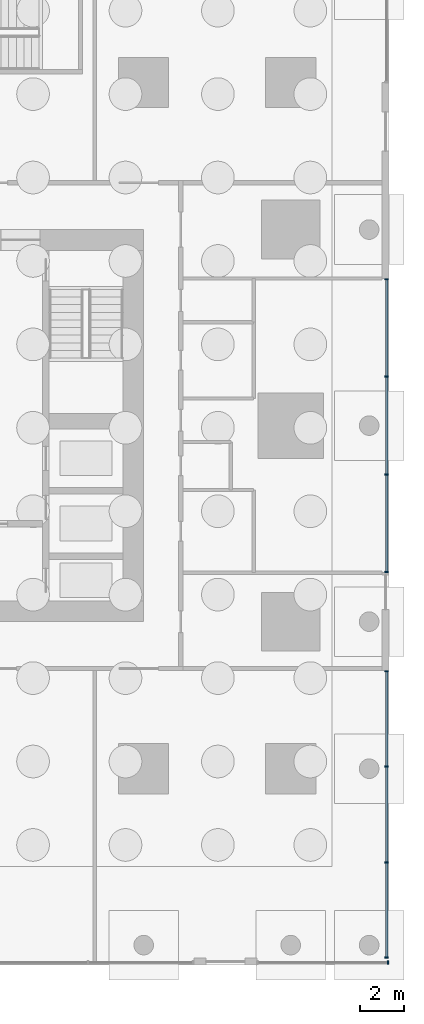
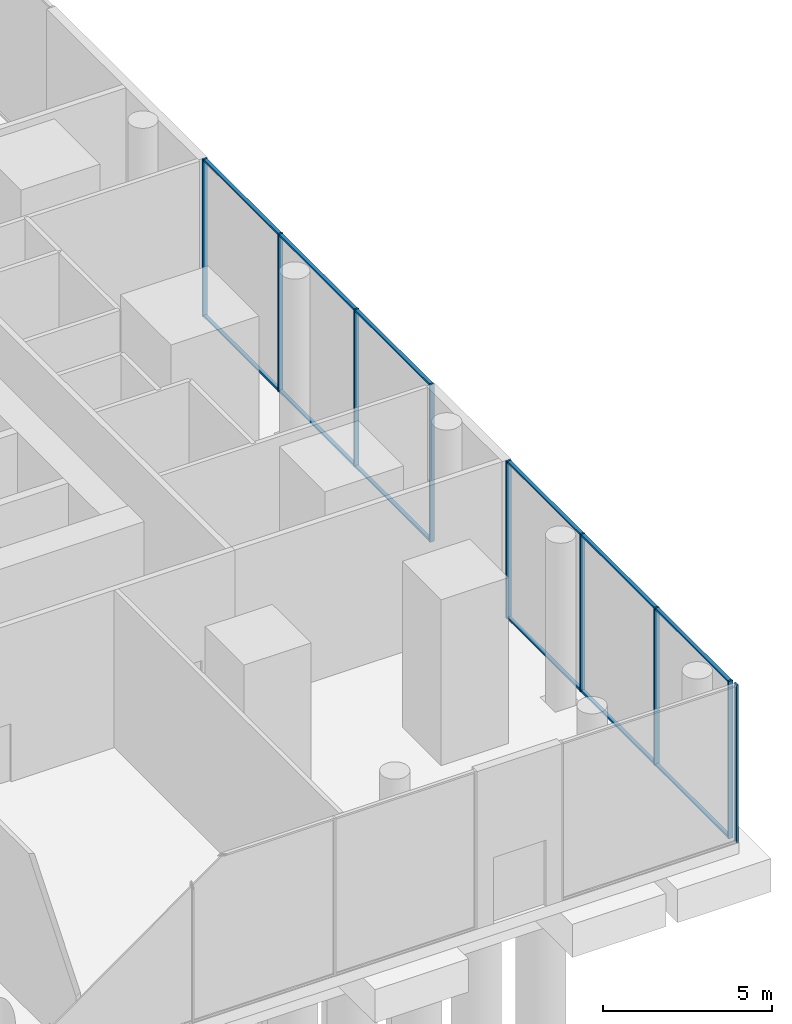
# One storey, part 12 of 31: 21 members, 3 elements without a shape of their own.
"""IFC4 building model written with IfcOpenShell, lengths in metres."""

from ifc_helpers import new_model, si_unit, direction, frame, origin, origin_2d, place, context, subcontext, project, spatial, rectangle, extrude, material, layer, layer_set, material_profile, profile_set, type_object, element, aggregate, save


model = new_model("IFC4")

# Units and contexts
model_context = context("Model", 3, precision=1e-05, world=origin(), true_north=direction((0.0, 1.0)))
body_context = subcontext(model_context, "Body", "Model", "MODEL_VIEW")
ifc_project = project(units=[si_unit("LENGTHUNIT", "METRE"), si_unit("AREAUNIT", "SQUARE_METRE"), si_unit("VOLUMEUNIT", "CUBIC_METRE"), si_unit("PLANEANGLEUNIT", "RADIAN"), si_unit("MASSUNIT", "GRAM", prefix="KILO")], contexts=[model_context])

# Site, building, storey
site_placement = place(None, origin())
site = spatial("IfcSite", under=ifc_project, at=site_placement, CompositionType="ELEMENT")
building_placement = place(site_placement, origin())
building = spatial("IfcBuilding", under=site, at=building_placement, Name="Namib Vertical Campus", CompositionType="ELEMENT")
storey_placement = place(building_placement, origin())
storey = spatial("IfcBuildingStorey", under=building, at=storey_placement, Name="L00", CompositionType="ELEMENT", Elevation=0.0)

# Curtain wall, member
ifc_material_1 = material(Name="Black aluminium curtain wall", Category="aluminium")
ifc_layer = layer(ifc_material_1, 0.199951171875)
ifc_layer_set = layer_set([ifc_layer], Name="Entrance curtain wall CW-EN")
curtain_wall_type = type_object("IfcCurtainWallType", Name="Entrance curtain wall CW-EN", PredefinedType="USERDEFINED", material=ifc_layer_set)
curtain_wall_1_placement = place(storey_placement, origin())
curtain_wall_1 = element("IfcCurtainWall", 1, at=curtain_wall_1_placement, inside=storey, type_object=curtain_wall_type, Name="Curtain wall CW-EN L00 13-1", ObjectType="CURTAIN WALL", PredefinedType="USERDEFINED")
ifc_material_2 = material(Name="Black anodised aluminium", Category="aluminium")
ifc_material_profile_1 = material_profile(ifc_material_2, rectangle(XDim=0.06005859375, YDim=0.159912109375, at=origin_2d()))
ifc_profile_set_1 = profile_set([ifc_material_profile_1], Name="Black anodised aluminium")
member_type_1 = type_object("IfcMemberType", Name="Curtain wall mullion 60x160", PredefinedType="MULLION", material=ifc_profile_set_1)
member_1_placement = place(storey_placement, frame((98.969970703125, -4.39990234375, 0.0), z_axis=(0.0, 0.0, 1.0), x_axis=(1.0, 0.0, 0.0)))
member_1 = element("IfcMember", 2, at=member_1_placement, type_object=member_type_1, Name="CW-EN mullion 2", PredefinedType="MULLION", context=body_context, shape_type="SweptSolid", body=[
    extrude(rectangle(XDim=0.06005859375, YDim=0.159912109375, at=origin_2d()), origin(), (0.0, 0.0, 1.0), 5.699951171875),
])
aggregate(curtain_wall_1, [member_1])

# Curtain wall, members
curtain_wall_2_placement = place(storey_placement, origin())
curtain_wall_2 = element("IfcCurtainWall", 3, at=curtain_wall_2_placement, inside=storey, type_object=curtain_wall_type, Name="Curtain wall CW-EN L00 1-1", ObjectType="CURTAIN WALL", PredefinedType="USERDEFINED")
member_2_placement = place(storey_placement, frame((98.89990234375, -4.169921875, 0.0), z_axis=(0.0, 0.0, 1.0), x_axis=(0.0, 1.0, 0.0)))
member_2 = element("IfcMember", 4, at=member_2_placement, type_object=member_type_1, Name="CW-EN mullion 1", PredefinedType="MULLION", context=body_context, shape_type="SweptSolid", body=[
    extrude(rectangle(XDim=0.06005859375, YDim=0.159912109375, at=origin_2d()), origin(), (0.0, 0.0, 1.0), 5.699951171875),
])
member_3_placement = place(storey_placement, frame((98.89990234375, 0.199951171875, 0.0), z_axis=(0.0, 0.0, 1.0), x_axis=(0.0, 1.0, 0.0)))
member_3 = element("IfcMember", 5, at=member_3_placement, type_object=member_type_1, Name="CW-EN mullion 2", PredefinedType="MULLION", context=body_context, shape_type="SweptSolid", body=[
    extrude(rectangle(XDim=0.06005859375, YDim=0.159912109375, at=origin_2d()), origin(), (0.0, 0.0, 1.0), 5.699951171875),
])
member_4_placement = place(storey_placement, frame((98.89990234375, 4.60009765625, 0.0), z_axis=(0.0, 0.0, 1.0), x_axis=(0.0, 1.0, 0.0)))
member_4 = element("IfcMember", 6, at=member_4_placement, type_object=member_type_1, Name="CW-EN mullion 3", PredefinedType="MULLION", context=body_context, shape_type="SweptSolid", body=[
    extrude(rectangle(XDim=0.06005859375, YDim=0.159912109375, at=origin_2d()), origin(), (0.0, 0.0, 1.0), 5.699951171875),
])
member_5_placement = place(storey_placement, frame((98.89990234375, 8.969970703125, 0.0), z_axis=(0.0, 0.0, 1.0), x_axis=(0.0, 1.0, 0.0)))
member_5 = element("IfcMember", 7, at=member_5_placement, type_object=member_type_1, Name="CW-EN mullion 4", PredefinedType="MULLION", context=body_context, shape_type="SweptSolid", body=[
    extrude(rectangle(XDim=0.06005859375, YDim=0.159912109375, at=origin_2d()), origin(), (0.0, 0.0, 1.0), 5.699951171875),
])

curtain_wall_3_placement = place(storey_placement, origin())
curtain_wall_3 = element("IfcCurtainWall", 8, at=curtain_wall_3_placement, inside=storey, type_object=curtain_wall_type, Name="Curtain wall CW-EN L00 3-1", ObjectType="CURTAIN WALL", PredefinedType="USERDEFINED")
member_6_placement = place(storey_placement, frame((98.89990234375, 13.530029296875, 0.0), z_axis=(0.0, 0.0, 1.0), x_axis=(0.0, 1.0, 0.0)))
member_6 = element("IfcMember", 9, at=member_6_placement, type_object=member_type_1, Name="CW-EN mullion 1", PredefinedType="MULLION", context=body_context, shape_type="SweptSolid", body=[
    extrude(rectangle(XDim=0.06005859375, YDim=0.159912109375, at=origin_2d()), origin(), (0.0, 0.0, 1.0), 5.699951171875),
])
member_7_placement = place(storey_placement, frame((98.89990234375, 18.0, 0.0), z_axis=(0.0, 0.0, 1.0), x_axis=(0.0, 1.0, 0.0)))
member_7 = element("IfcMember", 10, at=member_7_placement, type_object=member_type_1, Name="CW-EN mullion 2", PredefinedType="MULLION", context=body_context, shape_type="SweptSolid", body=[
    extrude(rectangle(XDim=0.06005859375, YDim=0.159912109375, at=origin_2d()), origin(), (0.0, 0.0, 1.0), 5.699951171875),
])
member_8_placement = place(storey_placement, frame((98.89990234375, 22.5, 0.0), z_axis=(0.0, 0.0, 1.0), x_axis=(0.0, 1.0, 0.0)))
member_8 = element("IfcMember", 11, at=member_8_placement, type_object=member_type_1, Name="CW-EN mullion 3", PredefinedType="MULLION", context=body_context, shape_type="SweptSolid", body=[
    extrude(rectangle(XDim=0.06005859375, YDim=0.159912109375, at=origin_2d()), origin(), (0.0, 0.0, 1.0), 5.699951171875),
])
member_9_placement = place(storey_placement, frame((98.89990234375, 26.969970703125, 0.0), z_axis=(0.0, 0.0, 1.0), x_axis=(0.0, 1.0, 0.0)))
member_9 = element("IfcMember", 12, at=member_9_placement, type_object=member_type_1, Name="CW-EN mullion 4", PredefinedType="MULLION", context=body_context, shape_type="SweptSolid", body=[
    extrude(rectangle(XDim=0.06005859375, YDim=0.159912109375, at=origin_2d()), origin(), (0.0, 0.0, 1.0), 5.699951171875),
])

# Member
ifc_material_3 = material(Name="Black anodised aluminium", Category="aluminium")
ifc_material_profile_2 = material_profile(ifc_material_3, rectangle(XDim=0.06005859375, YDim=0.1201171875, at=origin_2d()))
ifc_profile_set_2 = profile_set([ifc_material_profile_2], Name="Black anodised aluminium")
member_type_2 = type_object("IfcMemberType", Name="Curtain wall transom 60x120", PredefinedType="USERDEFINED", material=ifc_profile_set_2)
member_10_placement = place(storey_placement, frame((98.89990234375, -4.139892578125, 0.030029296875), z_axis=(0.0, 1.0, 0.0), x_axis=(0.0, 0.0, 1.0)))
member_10 = element("IfcMember", 13, at=member_10_placement, type_object=member_type_2, Name="CW-EN transom 1.1", ObjectType="TRANSOM", PredefinedType="USERDEFINED", context=body_context, shape_type="SweptSolid", body=[
    extrude(rectangle(XDim=0.06005859375, YDim=0.1201171875, at=origin_2d()), origin(), (0.0, 0.0, 1.0), 4.309814453125),
])

member_11_placement = place(storey_placement, frame((98.89990234375, -4.139892578125, 5.669921875), z_axis=(0.0, 1.0, 0.0), x_axis=(0.0, 0.0, 1.0)))
member_11 = element("IfcMember", 14, at=member_11_placement, type_object=member_type_2, Name="CW-EN transom 1.2", ObjectType="TRANSOM", PredefinedType="USERDEFINED", context=body_context, shape_type="SweptSolid", body=[
    extrude(rectangle(XDim=0.06005859375, YDim=0.1201171875, at=origin_2d()), origin(), (0.0, 0.0, 1.0), 4.309814453125),
])

member_12_placement = place(storey_placement, frame((98.89990234375, 0.22998046875, 0.030029296875), z_axis=(0.0, 1.0, 0.0), x_axis=(0.0, 0.0, 1.0)))
member_12 = element("IfcMember", 15, at=member_12_placement, type_object=member_type_2, Name="CW-EN transom 2.1", ObjectType="TRANSOM", PredefinedType="USERDEFINED", context=body_context, shape_type="SweptSolid", body=[
    extrude(rectangle(XDim=0.06005859375, YDim=0.1201171875, at=origin_2d()), origin(), (0.0, 0.0, 1.0), 4.340087890625),
])

member_13_placement = place(storey_placement, frame((98.89990234375, 0.22998046875, 5.669921875), z_axis=(0.0, 1.0, 0.0), x_axis=(0.0, 0.0, 1.0)))
member_13 = element("IfcMember", 16, at=member_13_placement, type_object=member_type_2, Name="CW-EN transom 2.2", ObjectType="TRANSOM", PredefinedType="USERDEFINED", context=body_context, shape_type="SweptSolid", body=[
    extrude(rectangle(XDim=0.06005859375, YDim=0.1201171875, at=origin_2d()), origin(), (0.0, 0.0, 1.0), 4.340087890625),
])

member_14_placement = place(storey_placement, frame((98.89990234375, 4.6298828125, 0.030029296875), z_axis=(0.0, 1.0, 0.0), x_axis=(0.0, 0.0, 1.0)))
member_14 = element("IfcMember", 17, at=member_14_placement, type_object=member_type_2, Name="CW-EN transom 3.1", ObjectType="TRANSOM", PredefinedType="USERDEFINED", context=body_context, shape_type="SweptSolid", body=[
    extrude(rectangle(XDim=0.06005859375, YDim=0.1201171875, at=origin_2d()), origin(), (0.0, 0.0, 1.0), 4.31005859375),
])

member_15_placement = place(storey_placement, frame((98.89990234375, 4.6298828125, 5.669921875), z_axis=(0.0, 1.0, 0.0), x_axis=(0.0, 0.0, 1.0)))
member_15 = element("IfcMember", 18, at=member_15_placement, type_object=member_type_2, Name="CW-EN transom 3.2", ObjectType="TRANSOM", PredefinedType="USERDEFINED", context=body_context, shape_type="SweptSolid", body=[
    extrude(rectangle(XDim=0.06005859375, YDim=0.1201171875, at=origin_2d()), origin(), (0.0, 0.0, 1.0), 4.31005859375),
])

aggregate(curtain_wall_2, [member_2, member_3, member_4, member_5, member_10, member_11, member_12, member_13, member_14, member_15])

member_16_placement = place(storey_placement, frame((98.89990234375, 13.56005859375, 0.030029296875), z_axis=(0.0, 1.0, 0.0), x_axis=(0.0, 0.0, 1.0)))
member_16 = element("IfcMember", 19, at=member_16_placement, type_object=member_type_2, Name="CW-EN transom 1.1", ObjectType="TRANSOM", PredefinedType="USERDEFINED", context=body_context, shape_type="SweptSolid", body=[
    extrude(rectangle(XDim=0.06005859375, YDim=0.1201171875, at=origin_2d()), origin(), (0.0, 0.0, 1.0), 4.409912109375),
])

member_17_placement = place(storey_placement, frame((98.89990234375, 13.56005859375, 5.669921875), z_axis=(0.0, 1.0, 0.0), x_axis=(0.0, 0.0, 1.0)))
member_17 = element("IfcMember", 20, at=member_17_placement, type_object=member_type_2, Name="CW-EN transom 1.2", ObjectType="TRANSOM", PredefinedType="USERDEFINED", context=body_context, shape_type="SweptSolid", body=[
    extrude(rectangle(XDim=0.06005859375, YDim=0.1201171875, at=origin_2d()), origin(), (0.0, 0.0, 1.0), 4.409912109375),
])

member_18_placement = place(storey_placement, frame((98.89990234375, 18.030029296875, 0.030029296875), z_axis=(0.0, 1.0, 0.0), x_axis=(0.0, 0.0, 1.0)))
member_18 = element("IfcMember", 21, at=member_18_placement, type_object=member_type_2, Name="CW-EN transom 2.1", ObjectType="TRANSOM", PredefinedType="USERDEFINED", context=body_context, shape_type="SweptSolid", body=[
    extrude(rectangle(XDim=0.06005859375, YDim=0.1201171875, at=origin_2d()), origin(), (0.0, 0.0, 1.0), 4.43994140625),
])

member_19_placement = place(storey_placement, frame((98.89990234375, 18.030029296875, 5.669921875), z_axis=(0.0, 1.0, 0.0), x_axis=(0.0, 0.0, 1.0)))
member_19 = element("IfcMember", 22, at=member_19_placement, type_object=member_type_2, Name="CW-EN transom 2.2", ObjectType="TRANSOM", PredefinedType="USERDEFINED", context=body_context, shape_type="SweptSolid", body=[
    extrude(rectangle(XDim=0.06005859375, YDim=0.1201171875, at=origin_2d()), origin(), (0.0, 0.0, 1.0), 4.43994140625),
])

member_20_placement = place(storey_placement, frame((98.89990234375, 22.530029296875, 0.030029296875), z_axis=(0.0, 1.0, 0.0), x_axis=(0.0, 0.0, 1.0)))
member_20 = element("IfcMember", 23, at=member_20_placement, type_object=member_type_2, Name="CW-EN transom 3.1", ObjectType="TRANSOM", PredefinedType="USERDEFINED", context=body_context, shape_type="SweptSolid", body=[
    extrude(rectangle(XDim=0.06005859375, YDim=0.1201171875, at=origin_2d()), origin(), (0.0, 0.0, 1.0), 4.409912109375),
])

member_21_placement = place(storey_placement, frame((98.89990234375, 22.530029296875, 5.669921875), z_axis=(0.0, 1.0, 0.0), x_axis=(0.0, 0.0, 1.0)))
member_21 = element("IfcMember", 24, at=member_21_placement, type_object=member_type_2, Name="CW-EN transom 3.2", ObjectType="TRANSOM", PredefinedType="USERDEFINED", context=body_context, shape_type="SweptSolid", body=[
    extrude(rectangle(XDim=0.06005859375, YDim=0.1201171875, at=origin_2d()), origin(), (0.0, 0.0, 1.0), 4.409912109375),
])

aggregate(curtain_wall_3, [member_6, member_7, member_8, member_9, member_16, member_17, member_18, member_19, member_20, member_21])

save(model, "model.ifc")
